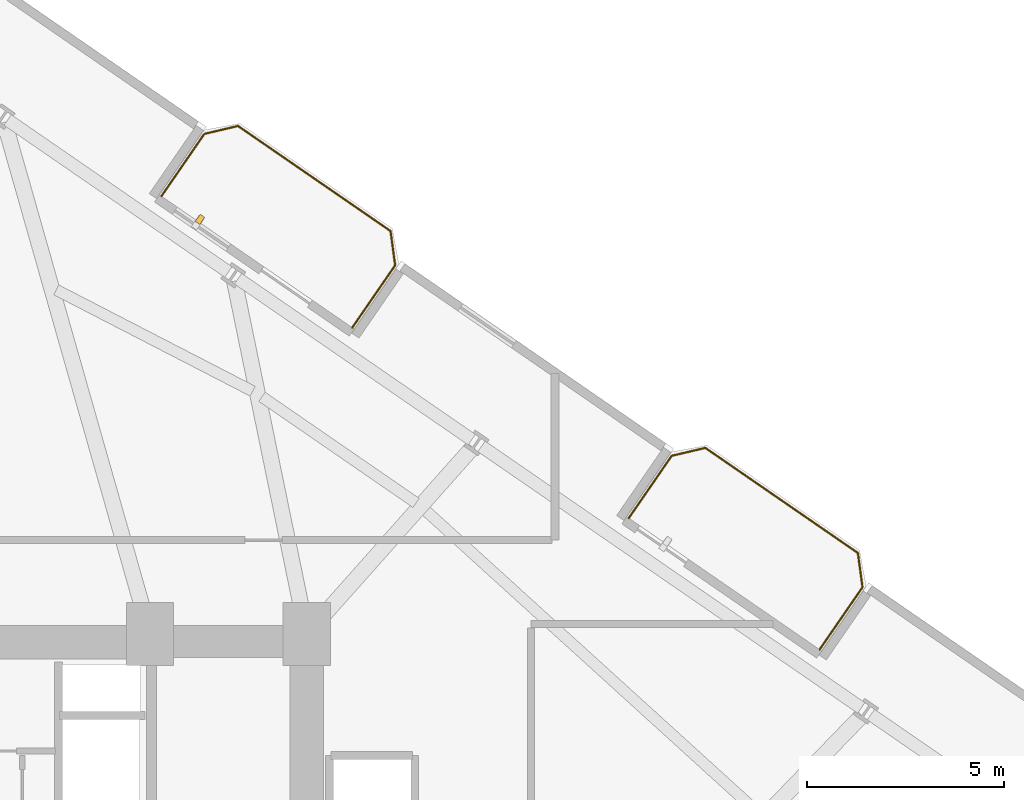
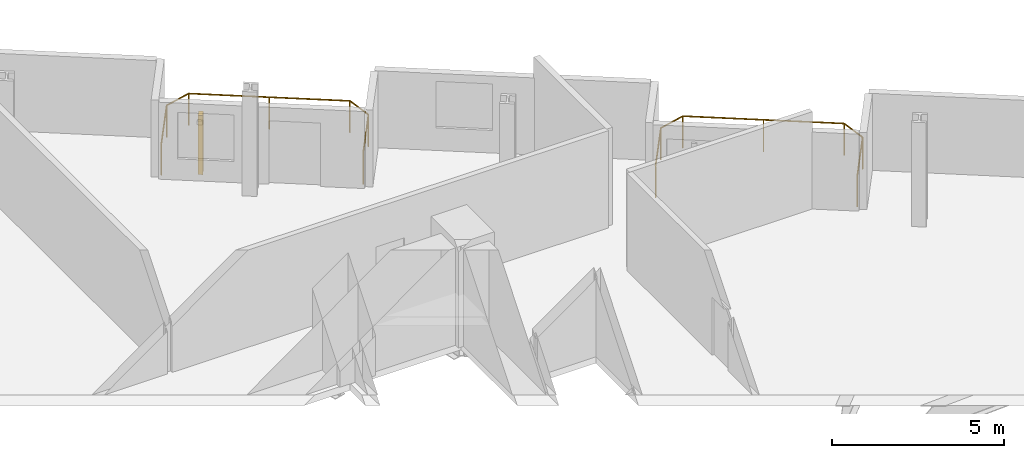
# One storey, part 24 of 24: 2 railings, 1 shading device.
"""IFC4 building model written with IfcOpenShell, lengths in metres."""

from ifc_helpers import new_model, si_unit, direction, frame, origin, origin_2d, place, context, subcontext, project, spatial, rectangle, circle, extrude, source, transform, mapped, material, type_object, element, save


model = new_model("IFC4")

# Units and contexts
model_context = context("Model", 3, precision=1e-05, world=origin(), true_north=direction((0.0, 1.0)))
body_context = subcontext(model_context, "Body", "Model", "MODEL_VIEW")
ifc_project = project(units=[si_unit("LENGTHUNIT", "METRE"), si_unit("AREAUNIT", "SQUARE_METRE"), si_unit("VOLUMEUNIT", "CUBIC_METRE"), si_unit("PLANEANGLEUNIT", "RADIAN"), si_unit("MASSUNIT", "GRAM", prefix="KILO")], contexts=[model_context])

# Site, building, storey
site_placement = place(None, origin())
site = spatial("IfcSite", under=ifc_project, at=site_placement, CompositionType="ELEMENT")
building_placement = place(site_placement, origin())
building = spatial("IfcBuilding", under=site, at=building_placement, Name="Varnelok Gate Tower", CompositionType="ELEMENT")
storey_placement = place(building_placement, frame((0.0, 0.0, 41.800048828125)))
storey = spatial("IfcBuildingStorey", under=building, at=storey_placement, Name="L09", CompositionType="ELEMENT", Elevation=41.800048828125)

# Railings
ifc_material_1 = material(Name="Low-E Laminated Double Glazing IGU", Category="glass")
railing_type = type_object("IfcRailingType", Name="RL-BALC-1150", PredefinedType="BALUSTRADE", material=ifc_material_1)
railing_1_placement = place(storey_placement, frame((44.010009765625, 50.158203125, 0.0)))
element("IfcRailing", 1, at=railing_1_placement, inside=storey, type_object=railing_type, Name="L09 North Terrace Balustrade 3", PredefinedType="BALUSTRADE", context=body_context, shape_type="SweptSolid", body=[
    extrude(circle(Radius=0.02392578125, at=origin_2d()), frame((0.0, 0.0, 1.1259765625), z_axis=(0.567284155424, 0.82352212296, 0.0), x_axis=(-0.82352212296, 0.567284155424, 0.0)), (0.0, 0.0, 1.0), 1.919921875),
    extrude(circle(Radius=0.02392578125, at=origin_2d()), frame((1.089111328125, 1.5810546875, 1.1259765625), z_axis=(0.973526462254, 0.228574336467, 0.0), x_axis=(-0.228574336467, 0.973526462254, 0.0)), (0.0, 0.0, 1.0), 0.8779296875),
    extrude(circle(Radius=0.02392578125, at=origin_2d()), frame((1.94384765625, 1.78173828125, 1.1259765625), z_axis=(0.823523239622, -0.567282534371, 0.0), x_axis=(0.567282534371, 0.823523239622, 0.0)), (0.0, 0.0, 1.0), 4.699951171875),
    extrude(circle(Radius=0.02392578125, at=origin_2d()), frame((5.814453125, -0.884521484375, 1.1259765625), z_axis=(0.133238627421, -0.991083986433, 0.0), x_axis=(0.991083986433, 0.133238627421, 0.0)), (0.0, 0.0, 1.0), 0.877685546875),
    extrude(circle(Radius=0.02392578125, at=origin_2d()), frame((5.931396484375, -1.75439453125, 1.1259765625), z_axis=(-0.567224752248, -0.823563039747, 0.0), x_axis=(0.823563039747, -0.567224752248, 0.0)), (0.0, 0.0, 1.0), 1.920166015625),
    extrude(circle(Radius=0.02099609375, at=origin_2d()), origin(), (0.0, 0.0, 1.0), 1.101806640625),
    extrude(circle(Radius=0.02099609375, at=origin_2d()), frame((1.089111328125, 1.5810546875, 0.0)), (0.0, 0.0, 1.0), 1.101806640625),
    extrude(circle(Radius=0.02099609375, at=origin_2d()), frame((1.94384765625, 1.78173828125, 0.0)), (0.0, 0.0, 1.0), 1.101806640625),
    extrude(circle(Radius=0.02099609375, at=origin_2d()), frame((3.879150390625, 0.44873046875, 0.0)), (0.0, 0.0, 1.0), 1.101806640625),
    extrude(circle(Radius=0.02099609375, at=origin_2d()), frame((5.814453125, -0.884521484375, 0.0)), (0.0, 0.0, 1.0), 1.101806640625),
    extrude(circle(Radius=0.02099609375, at=origin_2d()), frame((5.931396484375, -1.75439453125, 0.0)), (0.0, 0.0, 1.0), 1.101806640625),
    extrude(circle(Radius=0.02099609375, at=origin_2d()), frame((4.84228515625, -3.335693359375, 0.0)), (0.0, 0.0, 1.0), 1.101806640625),
])
railing_2_placement = place(storey_placement, frame((55.868896484375, 41.989501953125, 0.0)))
element("IfcRailing", 2, at=railing_2_placement, inside=storey, type_object=railing_type, Name="L09 North Terrace Balustrade 4", PredefinedType="BALUSTRADE", context=body_context, shape_type="SweptSolid", body=[
    extrude(circle(Radius=0.02392578125, at=origin_2d()), frame((0.0, 0.0, 1.1259765625), z_axis=(0.567284155424, 0.82352212296, 0.0), x_axis=(-0.82352212296, 0.567284155424, 0.0)), (0.0, 0.0, 1.0), 1.919921875),
    extrude(circle(Radius=0.02392578125, at=origin_2d()), frame((1.089111328125, 1.5810546875, 1.1259765625), z_axis=(0.973526462254, 0.228574336467, 0.0), x_axis=(-0.228574336467, 0.973526462254, 0.0)), (0.0, 0.0, 1.0), 0.8779296875),
    extrude(circle(Radius=0.02392578125, at=origin_2d()), frame((1.94384765625, 1.78173828125, 1.1259765625), z_axis=(0.823523239622, -0.567282534371, 0.0), x_axis=(0.567282534371, 0.823523239622, 0.0)), (0.0, 0.0, 1.0), 4.699951171875),
    extrude(circle(Radius=0.02392578125, at=origin_2d()), frame((5.814453125, -0.884521484375, 1.1259765625), z_axis=(0.133238627421, -0.991083986433, 0.0), x_axis=(0.991083986433, 0.133238627421, 0.0)), (0.0, 0.0, 1.0), 0.877685546875),
    extrude(circle(Radius=0.02392578125, at=origin_2d()), frame((5.931396484375, -1.75439453125, 1.1259765625), z_axis=(-0.567224752248, -0.823563039747, 0.0), x_axis=(0.823563039747, -0.567224752248, 0.0)), (0.0, 0.0, 1.0), 1.920166015625),
    extrude(circle(Radius=0.02099609375, at=origin_2d()), origin(), (0.0, 0.0, 1.0), 1.101806640625),
    extrude(circle(Radius=0.02099609375, at=origin_2d()), frame((1.089111328125, 1.5810546875, 0.0)), (0.0, 0.0, 1.0), 1.101806640625),
    extrude(circle(Radius=0.02099609375, at=origin_2d()), frame((1.94384765625, 1.78173828125, 0.0)), (0.0, 0.0, 1.0), 1.101806640625),
    extrude(circle(Radius=0.02099609375, at=origin_2d()), frame((3.879150390625, 0.44873046875, 0.0)), (0.0, 0.0, 1.0), 1.101806640625),
    extrude(circle(Radius=0.02099609375, at=origin_2d()), frame((5.814453125, -0.884521484375, 0.0)), (0.0, 0.0, 1.0), 1.101806640625),
    extrude(circle(Radius=0.02099609375, at=origin_2d()), frame((5.931396484375, -1.75439453125, 0.0)), (0.0, 0.0, 1.0), 1.101806640625),
    extrude(circle(Radius=0.02099609375, at=origin_2d()), frame((4.84228515625, -3.335693359375, 0.0)), (0.0, 0.0, 1.0), 1.101806640625),
])

# Shading device
ifc_material_2 = material(Name="Glazed Architectural Terracotta Ceramic", Category="masonry")
shading_device_type = type_object("IfcShadingDeviceType", Name="SHD-TERRA-FIN", PredefinedType="USERDEFINED", material=ifc_material_2)
shared_shape = source(origin(), body_context, "Body", "SweptSolid", [
    extrude(rectangle(XDim=0.139892578125, YDim=0.219970703125, at=origin_2d()), origin(), (0.0, 0.0, 1.0), 2.10009765625),
])
shading_device_placement = place(storey_placement, frame((44.988525390625, 49.569091796875, 0.099853515625), z_axis=(0.0, 0.0, 1.0), x_axis=(0.823532597628, -0.567268949127, 0.0)))
element("IfcShadingDevice", 3, at=shading_device_placement, inside=storey, type_object=shading_device_type, Name="L09 Terracotta Ceramic Baguette Sunscreen 3.1", ObjectType="BAGUETTE", PredefinedType="USERDEFINED", context=body_context, shape_type="MappedRepresentation", body=[
    mapped(shared_shape, transform((0.0, 0.0, 0.0), scale=1.0)),
])

save(model, "model.ifc")
